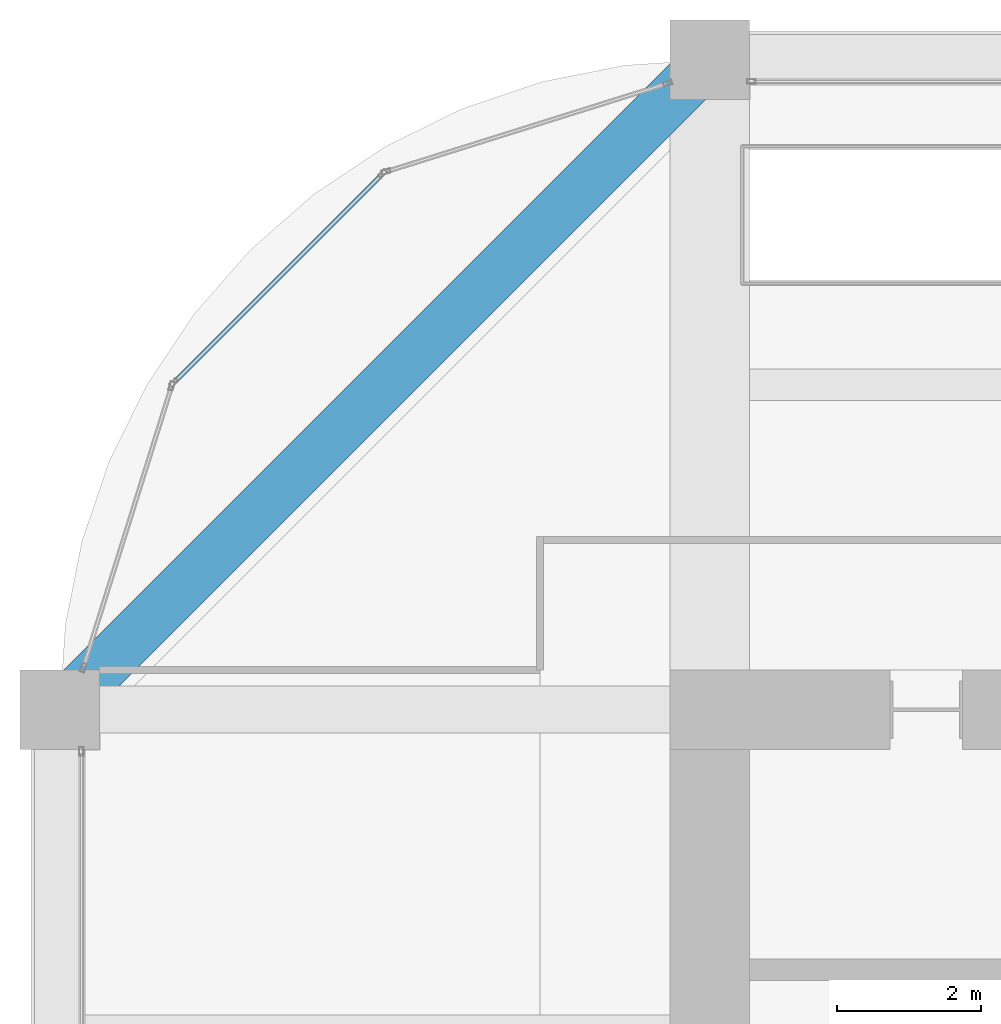
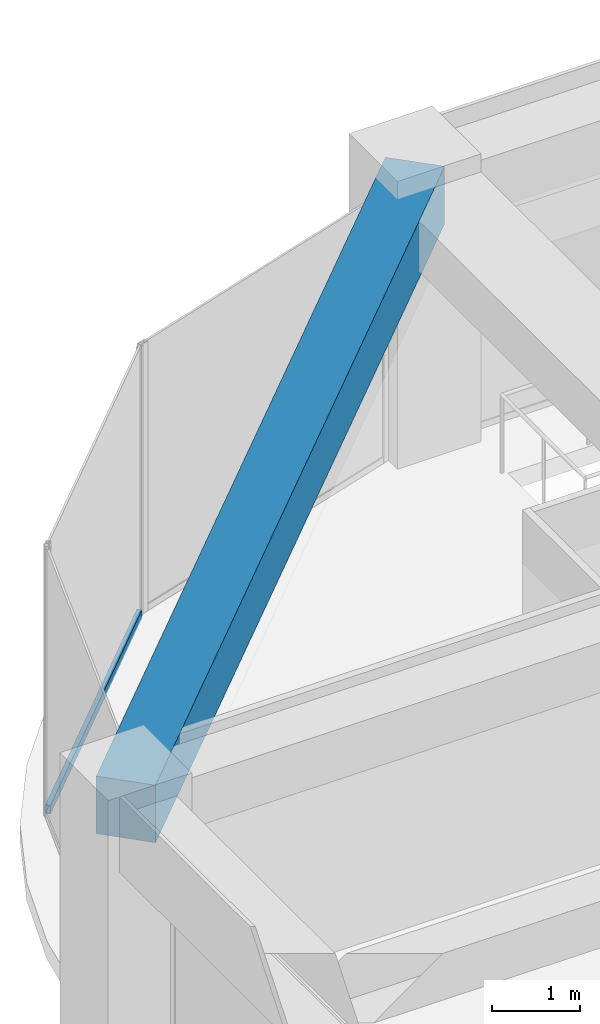
# One storey, part 29 of 44: 1 beam, 1 member, 1 element without a shape of its own.
"""IFC4 building model written with IfcOpenShell, lengths in metres."""

from ifc_helpers import new_model, si_unit, direction, frame, origin, origin_2d, place, context, subcontext, project, spatial, rectangle, hollow_rectangle, extrude, material, material_profile, profile_set, type_object, element, aggregate, save


model = new_model("IFC4")

# Units and contexts
model_context = context("Model", 3, precision=1e-05, world=origin(), true_north=direction((0.0, 1.0)))
body_context = subcontext(model_context, "Body", "Model", "MODEL_VIEW")
ifc_project = project(units=[si_unit("LENGTHUNIT", "METRE"), si_unit("AREAUNIT", "SQUARE_METRE"), si_unit("VOLUMEUNIT", "CUBIC_METRE"), si_unit("PLANEANGLEUNIT", "RADIAN"), si_unit("MASSUNIT", "GRAM", prefix="KILO")], contexts=[model_context])

# Site, building, storey
site_placement = place(None, origin())
site = spatial("IfcSite", under=ifc_project, at=site_placement, CompositionType="ELEMENT")
building_placement = place(site_placement, origin())
building = spatial("IfcBuilding", under=site, at=building_placement, Name="Zorevar Civic Tower", CompositionType="ELEMENT")
storey_placement = place(building_placement, frame((0.0, 0.0, 275.39990234375)))
storey = spatial("IfcBuildingStorey", under=building, at=storey_placement, Name="L67", CompositionType="ELEMENT", Elevation=275.39990234375)

# Curtain wall, member
ifc_material_1 = material(Name="Dark grey solar-control glass in black aluminium frame", Category="aluminium")
curtain_wall_type = type_object("IfcCurtainWallType", Name="Curtain wall CW5 top zone", PredefinedType="NOTDEFINED", material=ifc_material_1)
curtain_wall_placement = place(storey_placement, origin())
curtain_wall = element("IfcCurtainWall", 1, at=curtain_wall_placement, inside=storey, type_object=curtain_wall_type, Name="CW5 L67", PredefinedType="NOTDEFINED")
ifc_material_2 = material(Name="Aluminium, black anodised", Category="aluminium")
ifc_material_profile_1 = material_profile(ifc_material_2, hollow_rectangle(XDim=0.06005859375, YDim=0.1201171875, WallThickness=0.0029296875, at=origin_2d()), Name="AL 120x60x3")
ifc_profile_set_1 = profile_set([ifc_material_profile_1], Name="Aluminium, black anodised")
member_type = type_object("IfcMemberType", Name="CW5 transom AL 120x60x3", PredefinedType="USERDEFINED", material=ifc_profile_set_1)
member_placement = place(storey_placement, frame((13.44970703125, 43.3984375, 0.030029296875), z_axis=(-0.707106781187, -0.707106781187, 0.0), x_axis=(0.707106781187, -0.707106781187, 0.0)))
member = element("IfcMember", 2, at=member_placement, type_object=member_type, Name="CW5 sill transom", ObjectType="TRANSOM", PredefinedType="USERDEFINED", context=body_context, shape_type="SweptSolid", body=[
    extrude(hollow_rectangle(XDim=0.06005859375, YDim=0.1201171875, WallThickness=0.0029296875, at=origin_2d()), origin(), (0.0, 0.0, 1.0), 4.02783203125),
])
aggregate(curtain_wall, [member])

# Beam
ifc_material_3 = material(Name="Concrete C50/60", Category="concrete")
ifc_material_profile_2 = material_profile(ifc_material_3, rectangle(XDim=0.699951171875, YDim=0.800048828125, at=origin_2d()), Name="RC 700x800")
ifc_profile_set_2 = profile_set([ifc_material_profile_2], Name="Concrete C50/60")
beam_type = type_object("IfcBeamType", Name="Edge beam RC 700x800", PredefinedType="SPANDREL", material=ifc_profile_set_2)
beam_placement = place(storey_placement, frame((18.0, 45.0, 3.35009765625), z_axis=(-0.707106781187, -0.707106781187, 0.0), x_axis=(0.707106781187, -0.707106781187, 0.0)))
element("IfcBeam", 3, at=beam_placement, inside=storey, type_object=beam_type, Name="Corner edge beam L68", PredefinedType="SPANDREL", context=body_context, shape_type="SweptSolid", body=[
    extrude(rectangle(XDim=0.699951171875, YDim=0.800048828125, at=origin_2d()), origin(), (0.0, 0.0, 1.0), 12.72802734375),
])

save(model, "model.ifc")
